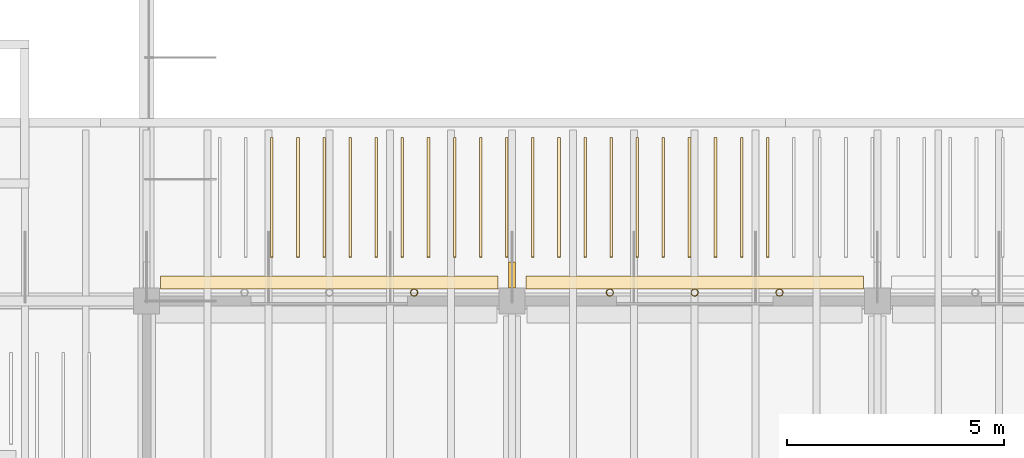
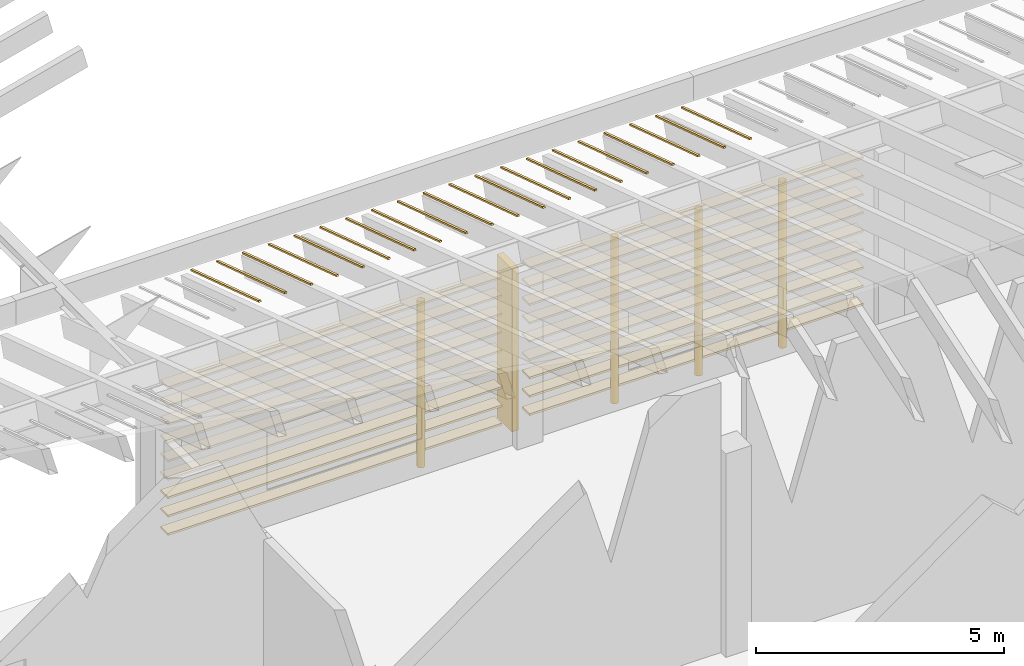
# One storey, part 39 of 59: 38 coverings, 5 shading devices.
"""IFC4 building model written with IfcOpenShell, lengths in metres."""

from ifc_helpers import new_model, si_unit, direction, frame, origin, origin_2d, place, context, subcontext, project, spatial, polyline, rectangle, hollow_circle, outline, extrude, material, layer, layer_set, material_profile, profile_set, type_object, element, save


model = new_model("IFC4")

# Units and contexts
model_context = context("Model", 3, precision=1e-05, world=origin(), true_north=direction((0.0, 1.0)))
body_context = subcontext(model_context, "Body", "Model", "MODEL_VIEW")
ifc_project = project(units=[si_unit("LENGTHUNIT", "METRE"), si_unit("AREAUNIT", "SQUARE_METRE"), si_unit("VOLUMEUNIT", "CUBIC_METRE"), si_unit("PLANEANGLEUNIT", "RADIAN"), si_unit("MASSUNIT", "GRAM", prefix="KILO")], contexts=[model_context])

# Site, building, storey
site_placement = place(None, origin())
site = spatial("IfcSite", under=ifc_project, at=site_placement, CompositionType="ELEMENT")
building_placement = place(site_placement, origin())
building = spatial("IfcBuilding", under=site, at=building_placement, Name="Almond Square Museum", CompositionType="ELEMENT")
storey_placement = place(building_placement, frame((0.0, 0.0, 25.0)))
storey = spatial("IfcBuildingStorey", under=building, at=storey_placement, Name="L04", CompositionType="ELEMENT", Elevation=25.0)

# Shading devices
ifc_material_1 = material(Name="Structural steel S355", Category="steel")
ifc_material_profile_1 = material_profile(ifc_material_1, hollow_circle(Radius=0.084228515625, WallThickness=0.008056640625, at=origin_2d()))
ifc_profile_set_1 = profile_set([ifc_material_profile_1], Name="Structural steel S355")
shading_device_type_1 = type_object("IfcShadingDeviceType", Name="Louvre post CHS 168.3 x 8", PredefinedType="USERDEFINED", material=ifc_profile_set_1)
for number, where, z_axis, x_axis, name in (
    (1, (33.449951171875, 16.994140625, 0.0), (0.0, 0.0, 1.0), (1.0, 0.0, 0.0), "Louvre screen post"),
    (2, (35.39990234375, 16.994140625, 0.0), (0.0, 0.0, 1.0), (1.0, 0.0, 0.0), "Louvre screen post"),
    (3, (37.35009765625, 16.994140625, 0.0), (0.0, 0.0, 1.0), (1.0, 0.0, 0.0), "Louvre screen post"),
    (4, (28.949951171875, 16.994140625, 0.0), (0.0, 0.0, 1.0), (1.0, 0.0, 0.0), "Louvre screen post"),
):
    element("IfcShadingDevice", number, at=place(storey_placement, frame(where, z_axis=z_axis, x_axis=x_axis)), inside=storey, type_object=shading_device_type_1, Name=name, ObjectType="POST", PredefinedType="USERDEFINED", context=body_context, shape_type="SweptSolid", body=[
        extrude(hollow_circle(Radius=0.084228515625, WallThickness=0.008056640625, at=origin_2d()), origin(), (0.0, 0.0, 1.0), 4.08447265625),
    ])

# Coverings
ifc_material_2 = material(Name="Cedar timber louvre board", Category="wood")
ifc_material_profile_2 = material_profile(ifc_material_2, rectangle(XDim=0.300048828125, YDim=0.050048828125, at=origin_2d()))
ifc_profile_set_2 = profile_set([ifc_material_profile_2], Name="Cedar timber louvre board")
covering_type_1 = type_object("IfcCoveringType", Name="Louvre screen board 300 x 50", PredefinedType="CLADDING", material=ifc_profile_set_2)
for number, where, z_axis, x_axis, name in (
    (5, (31.52001953125, 17.224365234375, 0.300048828125), (1.0, 0.0, 0.0), (0.0, 1.0, 0.0), "Louvre screen board"),
    (6, (31.52001953125, 17.224365234375, 0.75), (1.0, 0.0, 0.0), (0.0, 1.0, 0.0), "Louvre screen board"),
    (7, (31.52001953125, 17.224365234375, 1.199951171875), (1.0, 0.0, 0.0), (0.0, 1.0, 0.0), "Louvre screen board"),
    (8, (31.52001953125, 17.224365234375, 1.64990234375), (1.0, 0.0, 0.0), (0.0, 1.0, 0.0), "Louvre screen board"),
    (9, (31.52001953125, 17.224365234375, 2.10009765625), (1.0, 0.0, 0.0), (0.0, 1.0, 0.0), "Louvre screen board"),
    (10, (31.52001953125, 17.224365234375, 2.550048828125), (1.0, 0.0, 0.0), (0.0, 1.0, 0.0), "Louvre screen board"),
    (11, (31.52001953125, 17.224365234375, 3.0), (1.0, 0.0, 0.0), (0.0, 1.0, 0.0), "Louvre screen board"),
    (12, (31.52001953125, 17.224365234375, 3.449951171875), (1.0, 0.0, 0.0), (0.0, 1.0, 0.0), "Louvre screen board"),
    (13, (31.52001953125, 17.224365234375, 3.89990234375), (1.0, 0.0, 0.0), (0.0, 1.0, 0.0), "Louvre screen board"),
):
    element("IfcCovering", number, at=place(storey_placement, frame(where, z_axis=z_axis, x_axis=x_axis)), inside=storey, type_object=covering_type_1, Name=name, PredefinedType="CLADDING", context=body_context, shape_type="SweptSolid", body=[
        extrude(rectangle(XDim=0.300048828125, YDim=0.050048828125, at=origin_2d()), origin(), (0.0, 0.0, 1.0), 7.760009765625),
    ])
for number, where, z_axis, x_axis, name in (
    (14, (23.1201171875, 17.224365234375, 0.300048828125), (1.0, 0.0, 0.0), (0.0, 1.0, 0.0), "Louvre screen board"),
    (15, (23.1201171875, 17.224365234375, 0.75), (1.0, 0.0, 0.0), (0.0, 1.0, 0.0), "Louvre screen board"),
    (16, (23.1201171875, 17.224365234375, 1.199951171875), (1.0, 0.0, 0.0), (0.0, 1.0, 0.0), "Louvre screen board"),
    (17, (23.1201171875, 17.224365234375, 1.64990234375), (1.0, 0.0, 0.0), (0.0, 1.0, 0.0), "Louvre screen board"),
    (18, (23.1201171875, 17.224365234375, 2.10009765625), (1.0, 0.0, 0.0), (0.0, 1.0, 0.0), "Louvre screen board"),
    (19, (23.1201171875, 17.224365234375, 2.550048828125), (1.0, 0.0, 0.0), (0.0, 1.0, 0.0), "Louvre screen board"),
    (20, (23.1201171875, 17.224365234375, 3.0), (1.0, 0.0, 0.0), (0.0, 1.0, 0.0), "Louvre screen board"),
    (21, (23.1201171875, 17.224365234375, 3.449951171875), (1.0, 0.0, 0.0), (0.0, 1.0, 0.0), "Louvre screen board"),
    (22, (23.1201171875, 17.224365234375, 3.89990234375), (1.0, 0.0, 0.0), (0.0, 1.0, 0.0), "Louvre screen board"),
):
    element("IfcCovering", number, at=place(storey_placement, frame(where, z_axis=z_axis, x_axis=x_axis)), inside=storey, type_object=covering_type_1, Name=name, PredefinedType="CLADDING", context=body_context, shape_type="SweptSolid", body=[
        extrude(rectangle(XDim=0.300048828125, YDim=0.050048828125, at=origin_2d()), origin(), (0.0, 0.0, 1.0), 7.759765625),
    ])
ifc_material_3 = material(Name="Zinc standing seam")
ifc_layer = layer(ifc_material_3, 0.0400390625)
ifc_layer_set = layer_set([ifc_layer], Name="Zinc standing seam")
covering_type_2 = type_object("IfcCoveringType", Name="Roof standing seam rib 60 x 40", PredefinedType="CLADDING", material=ifc_layer_set)
for number, where, z_axis, x_axis, name in (
    (23, (25.7099609375, 17.800048828125, 4.675048828125), (0.0, 0.309024978252, 0.951053922139), (0.0, 0.951053922139, -0.309024978252), "Roof standing seam rib"),
    (24, (26.31005859375, 17.800048828125, 4.675048828125), (0.0, 0.309024978252, 0.951053922139), (0.0, 0.951053922139, -0.309024978252), "Roof standing seam rib"),
):
    element("IfcCovering", number, at=place(storey_placement, frame(where, z_axis=z_axis, x_axis=x_axis)), inside=storey, type_object=covering_type_2, Name=name, PredefinedType="CLADDING", context=body_context, shape_type="SweptSolid", body=[
        extrude(outline(polyline([(0.0, 0.0), (2.891529003754454, 0.0), (2.891529003754454, 0.06005859375), (0.0, 0.06005859375), (0.0, 0.0)])), origin(), (0.0, 0.0, 1.0), 0.0400390625),
    ])
covering_1_placement = place(storey_placement, frame((26.909912109375, 17.800048828125, 4.675048828125), z_axis=(0.0, 0.309024978252, 0.951053922139), x_axis=(0.0, 0.951053922139, -0.309024978252)))
element("IfcCovering", 25, at=covering_1_placement, inside=storey, type_object=covering_type_2, Name="Roof standing seam rib", PredefinedType="CLADDING", context=body_context, shape_type="SweptSolid", body=[
    extrude(outline(polyline([(0.0, 0.0), (2.891529003754454, 0.0), (2.891529003754454, 0.059814453125), (0.0, 0.059814453125), (0.0, 0.0)])), origin(), (0.0, 0.0, 1.0), 0.0400390625),
])
for number, where, z_axis, x_axis, name in (
    (26, (27.510009765625, 17.800048828125, 4.675048828125), (0.0, 0.309024978252, 0.951053922139), (0.0, 0.951053922139, -0.309024978252), "Roof standing seam rib"),
    (27, (28.110107421875, 17.800048828125, 4.675048828125), (0.0, 0.309024978252, 0.951053922139), (0.0, 0.951053922139, -0.309024978252), "Roof standing seam rib"),
    (28, (28.7099609375, 17.800048828125, 4.675048828125), (0.0, 0.309024978252, 0.951053922139), (0.0, 0.951053922139, -0.309024978252), "Roof standing seam rib"),
    (29, (29.31005859375, 17.800048828125, 4.675048828125), (0.0, 0.309024978252, 0.951053922139), (0.0, 0.951053922139, -0.309024978252), "Roof standing seam rib"),
):
    element("IfcCovering", number, at=place(storey_placement, frame(where, z_axis=z_axis, x_axis=x_axis)), inside=storey, type_object=covering_type_2, Name=name, PredefinedType="CLADDING", context=body_context, shape_type="SweptSolid", body=[
        extrude(outline(polyline([(0.0, 0.0), (2.891529003754454, 0.0), (2.891529003754454, 0.06005859375), (0.0, 0.06005859375), (0.0, 0.0)])), origin(), (0.0, 0.0, 1.0), 0.0400390625),
    ])
covering_2_placement = place(storey_placement, frame((29.909912109375, 17.800048828125, 4.675048828125), z_axis=(0.0, 0.309024978252, 0.951053922139), x_axis=(0.0, 0.951053922139, -0.309024978252)))
element("IfcCovering", 30, at=covering_2_placement, inside=storey, type_object=covering_type_2, Name="Roof standing seam rib", PredefinedType="CLADDING", context=body_context, shape_type="SweptSolid", body=[
    extrude(outline(polyline([(0.0, 0.0), (2.891529003754454, 0.0), (2.891529003754454, 0.059814453125), (0.0, 0.059814453125), (0.0, 0.0)])), origin(), (0.0, 0.0, 1.0), 0.0400390625),
])
for number, where, z_axis, x_axis, name in (
    (31, (30.510009765625, 17.800048828125, 4.675048828125), (0.0, 0.309024978252, 0.951053922139), (0.0, 0.951053922139, -0.309024978252), "Roof standing seam rib"),
    (32, (31.110107421875, 17.800048828125, 4.675048828125), (0.0, 0.309024978252, 0.951053922139), (0.0, 0.951053922139, -0.309024978252), "Roof standing seam rib"),
    (33, (31.7099609375, 17.800048828125, 4.675048828125), (0.0, 0.309024978252, 0.951053922139), (0.0, 0.951053922139, -0.309024978252), "Roof standing seam rib"),
    (34, (32.31005859375, 17.800048828125, 4.675048828125), (0.0, 0.309024978252, 0.951053922139), (0.0, 0.951053922139, -0.309024978252), "Roof standing seam rib"),
):
    element("IfcCovering", number, at=place(storey_placement, frame(where, z_axis=z_axis, x_axis=x_axis)), inside=storey, type_object=covering_type_2, Name=name, PredefinedType="CLADDING", context=body_context, shape_type="SweptSolid", body=[
        extrude(outline(polyline([(0.0, 0.0), (2.891529003754454, 0.0), (2.891529003754454, 0.06005859375), (0.0, 0.06005859375), (0.0, 0.0)])), origin(), (0.0, 0.0, 1.0), 0.0400390625),
    ])
covering_3_placement = place(storey_placement, frame((32.909912109375, 17.800048828125, 4.675048828125), z_axis=(0.0, 0.309024978252, 0.951053922139), x_axis=(0.0, 0.951053922139, -0.309024978252)))
element("IfcCovering", 35, at=covering_3_placement, inside=storey, type_object=covering_type_2, Name="Roof standing seam rib", PredefinedType="CLADDING", context=body_context, shape_type="SweptSolid", body=[
    extrude(outline(polyline([(0.0, 0.0), (2.891529003754454, 0.0), (2.891529003754454, 0.059814453125), (0.0, 0.059814453125), (0.0, 0.0)])), origin(), (0.0, 0.0, 1.0), 0.0400390625),
])
for number, where, z_axis, x_axis, name in (
    (36, (33.510009765625, 17.800048828125, 4.675048828125), (0.0, 0.309024978252, 0.951053922139), (0.0, 0.951053922139, -0.309024978252), "Roof standing seam rib"),
    (37, (34.110107421875, 17.800048828125, 4.675048828125), (0.0, 0.309024978252, 0.951053922139), (0.0, 0.951053922139, -0.309024978252), "Roof standing seam rib"),
    (38, (34.7099609375, 17.800048828125, 4.675048828125), (0.0, 0.309024978252, 0.951053922139), (0.0, 0.951053922139, -0.309024978252), "Roof standing seam rib"),
    (39, (35.31005859375, 17.800048828125, 4.675048828125), (0.0, 0.309024978252, 0.951053922139), (0.0, 0.951053922139, -0.309024978252), "Roof standing seam rib"),
):
    element("IfcCovering", number, at=place(storey_placement, frame(where, z_axis=z_axis, x_axis=x_axis)), inside=storey, type_object=covering_type_2, Name=name, PredefinedType="CLADDING", context=body_context, shape_type="SweptSolid", body=[
        extrude(outline(polyline([(0.0, 0.0), (2.891529003754454, 0.0), (2.891529003754454, 0.06005859375), (0.0, 0.06005859375), (0.0, 0.0)])), origin(), (0.0, 0.0, 1.0), 0.0400390625),
    ])
covering_4_placement = place(storey_placement, frame((35.909912109375, 17.800048828125, 4.675048828125), z_axis=(0.0, 0.309024978252, 0.951053922139), x_axis=(0.0, 0.951053922139, -0.309024978252)))
element("IfcCovering", 40, at=covering_4_placement, inside=storey, type_object=covering_type_2, Name="Roof standing seam rib", PredefinedType="CLADDING", context=body_context, shape_type="SweptSolid", body=[
    extrude(outline(polyline([(0.0, 0.0), (2.891529003754454, 0.0), (2.891529003754454, 0.059814453125), (0.0, 0.059814453125), (0.0, 0.0)])), origin(), (0.0, 0.0, 1.0), 0.0400390625),
])
for number, where, z_axis, x_axis, name in (
    (41, (36.510009765625, 17.800048828125, 4.675048828125), (0.0, 0.309024978252, 0.951053922139), (0.0, 0.951053922139, -0.309024978252), "Roof standing seam rib"),
    (42, (37.110107421875, 17.800048828125, 4.675048828125), (0.0, 0.309024978252, 0.951053922139), (0.0, 0.951053922139, -0.309024978252), "Roof standing seam rib"),
):
    element("IfcCovering", number, at=place(storey_placement, frame(where, z_axis=z_axis, x_axis=x_axis)), inside=storey, type_object=covering_type_2, Name=name, PredefinedType="CLADDING", context=body_context, shape_type="SweptSolid", body=[
        extrude(outline(polyline([(0.0, 0.0), (2.891529003754454, 0.0), (2.891529003754454, 0.06005859375), (0.0, 0.06005859375), (0.0, 0.0)])), origin(), (0.0, 0.0, 1.0), 0.0400390625),
    ])

# Shading device
ifc_material_4 = material(Name="Cedar timber fin", Category="wood")
shading_device_type_2 = type_object("IfcShadingDeviceType", Name="Timber storm fin 150 x 600", PredefinedType="USERDEFINED", material=ifc_material_4)
shading_device_placement = place(storey_placement, frame((31.199951171875, 17.39990234375, 0.0), z_axis=(0.0, 0.0, 1.0), x_axis=(1.0, 0.0, 0.0)))
element("IfcShadingDevice", 43, at=shading_device_placement, inside=storey, type_object=shading_device_type_2, Name="Timber storm fin", ObjectType="FIN", PredefinedType="USERDEFINED", context=body_context, shape_type="SweptSolid", body=[
    extrude(rectangle(XDim=0.14990234375, YDim=0.60009765625, at=origin_2d()), origin(), (0.0, 0.0, 1.0), 4.007568359375),
])

save(model, "model.ifc")
